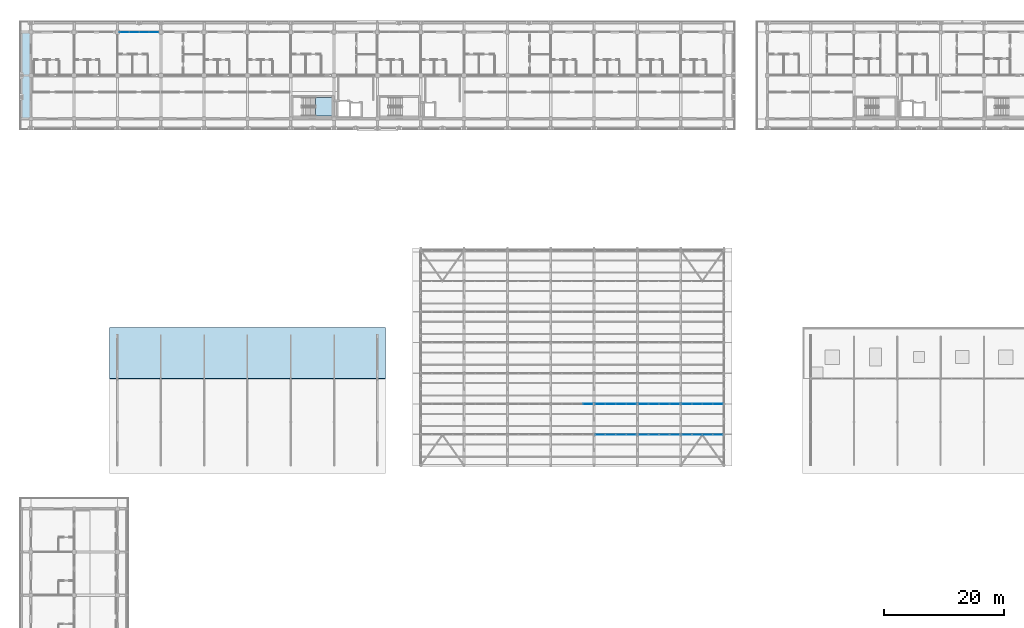
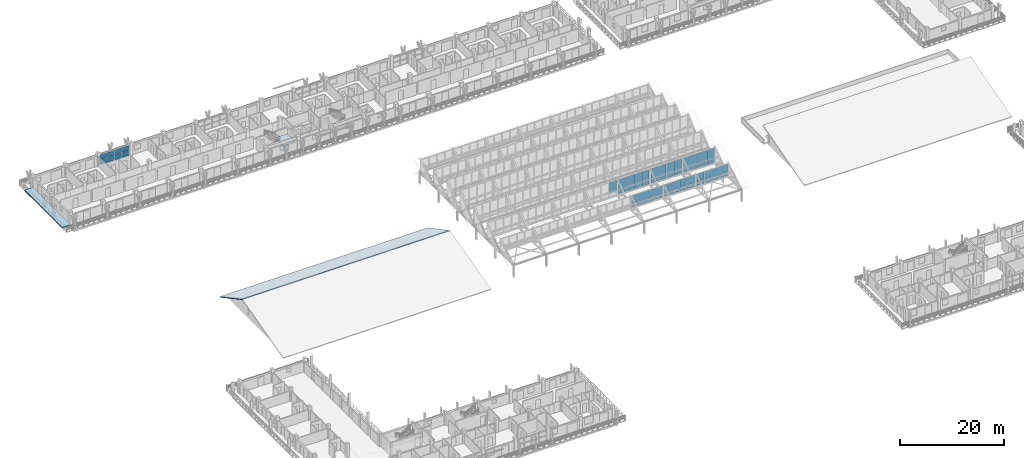
# One storey, part 99 of 157: 57 plates, 3 slabs, 9 elements without a shape of their own.
"""IFC4 building model written with IfcOpenShell, lengths in metres."""

from ifc_helpers import new_model, si_unit, direction, frame, origin, origin_2d, place, context, subcontext, project, spatial, polyline, rectangle, outline, extrude, material, layer, layer_set, type_object, element, aggregate, save


model = new_model("IFC4")

# Units and contexts
model_context = context("Model", 3, precision=1e-05, world=origin(), true_north=direction((0.0, 1.0)))
body_context = subcontext(model_context, "Body", "Model", "MODEL_VIEW")
ifc_project = project(units=[si_unit("LENGTHUNIT", "METRE"), si_unit("AREAUNIT", "SQUARE_METRE"), si_unit("VOLUMEUNIT", "CUBIC_METRE"), si_unit("PLANEANGLEUNIT", "RADIAN"), si_unit("MASSUNIT", "GRAM", prefix="KILO")], contexts=[model_context])

# Site, building, storey
site_placement = place(None, origin())
site = spatial("IfcSite", under=ifc_project, at=site_placement, CompositionType="ELEMENT")
building_placement = place(site_placement, origin())
building = spatial("IfcBuilding", under=site, at=building_placement, Name="Suanplinth Sawtooth Commons", CompositionType="ELEMENT")
storey_placement = place(building_placement, frame((0.0, 0.0, 9.0)))
storey = spatial("IfcBuildingStorey", under=building, at=storey_placement, Name="L02", CompositionType="ELEMENT", Elevation=9.0)

# Curtain wall, plates
ifc_material_1 = material(Name="Anodized aluminium and low-E glazing", Category="aluminium")
curtain_wall_type_1 = type_object("IfcCurtainWallType", Name="CW-06", PredefinedType="USERDEFINED", material=ifc_material_1)
curtain_wall_1_placement = place(storey_placement, origin())
curtain_wall_1 = element("IfcCurtainWall", 1, at=curtain_wall_1_placement, inside=storey, type_object=curtain_wall_type_1, Name="Curtain Wall CW-L02-A-LOUNGE-2", ObjectType="CURTAIN WALL", PredefinedType="USERDEFINED")
ifc_material_2 = material(Name="Tempered low-E double glazing", Category="glass")
ifc_layer_1 = layer(ifc_material_2, 0.028076171875, Name="Vision low-E insulated glazing unit 28mm")
ifc_layer_set_1 = layer_set([ifc_layer_1], Name="Tempered low-E double glazing")
plate_type_1 = type_object("IfcPlateType", Name="PL-05", PredefinedType="CURTAIN_PANEL", material=ifc_layer_set_1)
plate_1_placement = place(storey_placement, frame((15.56005859375, 122.39990234375, 0.06494140625), z_axis=(0.0, 0.0, 1.0), x_axis=(1.0, 0.0, 0.0)))
plate_1 = element("IfcPlate", 2, at=plate_1_placement, type_object=plate_type_1, Name="CW-06 panel 1.1", PredefinedType="CURTAIN_PANEL", context=body_context, shape_type="SweptSolid", body=[
    extrude(rectangle(XDim=1.5400390625, YDim=0.028076171875, at=origin_2d()), origin(), (0.0, 0.0, 1.0), 1.12255859375),
])
plate_2_placement = place(storey_placement, frame((15.56005859375, 122.39990234375, 1.25244140625), z_axis=(0.0, 0.0, 1.0), x_axis=(1.0, 0.0, 0.0)))
plate_2 = element("IfcPlate", 3, at=plate_2_placement, type_object=plate_type_1, Name="CW-06 panel 1.2", PredefinedType="CURTAIN_PANEL", context=body_context, shape_type="SweptSolid", body=[
    extrude(rectangle(XDim=1.5400390625, YDim=0.028076171875, at=origin_2d()), origin(), (0.0, 0.0, 1.0), 1.12255859375),
])
plate_3_placement = place(storey_placement, frame((17.18115234375, 122.39990234375, 0.06494140625), z_axis=(0.0, 0.0, 1.0), x_axis=(1.0, 0.0, 0.0)))
plate_3 = element("IfcPlate", 4, at=plate_3_placement, type_object=plate_type_1, Name="CW-06 panel 2.1", PredefinedType="CURTAIN_PANEL", context=body_context, shape_type="SweptSolid", body=[
    extrude(rectangle(XDim=1.572509765625, YDim=0.028076171875, at=origin_2d()), origin(), (0.0, 0.0, 1.0), 1.12255859375),
])
plate_4_placement = place(storey_placement, frame((17.18115234375, 122.39990234375, 1.25244140625), z_axis=(0.0, 0.0, 1.0), x_axis=(1.0, 0.0, 0.0)))
plate_4 = element("IfcPlate", 5, at=plate_4_placement, type_object=plate_type_1, Name="CW-06 panel 2.2", PredefinedType="CURTAIN_PANEL", context=body_context, shape_type="SweptSolid", body=[
    extrude(rectangle(XDim=1.572509765625, YDim=0.028076171875, at=origin_2d()), origin(), (0.0, 0.0, 1.0), 1.12255859375),
])
plate_5_placement = place(storey_placement, frame((18.81884765625, 122.39990234375, 0.06494140625), z_axis=(0.0, 0.0, 1.0), x_axis=(1.0, 0.0, 0.0)))
plate_5 = element("IfcPlate", 6, at=plate_5_placement, type_object=plate_type_1, Name="CW-06 panel 3.1", PredefinedType="CURTAIN_PANEL", context=body_context, shape_type="SweptSolid", body=[
    extrude(rectangle(XDim=1.572509765625, YDim=0.028076171875, at=origin_2d()), origin(), (0.0, 0.0, 1.0), 1.12255859375),
])
plate_6_placement = place(storey_placement, frame((18.81884765625, 122.39990234375, 1.25244140625), z_axis=(0.0, 0.0, 1.0), x_axis=(1.0, 0.0, 0.0)))
plate_6 = element("IfcPlate", 7, at=plate_6_placement, type_object=plate_type_1, Name="CW-06 panel 3.2", PredefinedType="CURTAIN_PANEL", context=body_context, shape_type="SweptSolid", body=[
    extrude(rectangle(XDim=1.572509765625, YDim=0.028076171875, at=origin_2d()), origin(), (0.0, 0.0, 1.0), 1.12255859375),
])
plate_7_placement = place(storey_placement, frame((20.43994140625, 122.39990234375, 0.06494140625), z_axis=(0.0, 0.0, 1.0), x_axis=(1.0, 0.0, 0.0)))
plate_7 = element("IfcPlate", 8, at=plate_7_placement, type_object=plate_type_1, Name="CW-06 panel 4.1", PredefinedType="CURTAIN_PANEL", context=body_context, shape_type="SweptSolid", body=[
    extrude(rectangle(XDim=1.5400390625, YDim=0.028076171875, at=origin_2d()), origin(), (0.0, 0.0, 1.0), 1.12255859375),
])
plate_8_placement = place(storey_placement, frame((20.43994140625, 122.39990234375, 1.25244140625), z_axis=(0.0, 0.0, 1.0), x_axis=(1.0, 0.0, 0.0)))
plate_8 = element("IfcPlate", 9, at=plate_8_placement, type_object=plate_type_1, Name="CW-06 panel 4.2", PredefinedType="CURTAIN_PANEL", context=body_context, shape_type="SweptSolid", body=[
    extrude(rectangle(XDim=1.5400390625, YDim=0.028076171875, at=origin_2d()), origin(), (0.0, 0.0, 1.0), 1.12255859375),
])
aggregate(curtain_wall_1, [plate_1, plate_2, plate_3, plate_4, plate_5, plate_6, plate_7, plate_8])

curtain_wall_type_2 = type_object("IfcCurtainWallType", Name="CW-03", PredefinedType="USERDEFINED", material=ifc_material_1)
curtain_wall_2_placement = place(storey_placement, origin())
curtain_wall_2 = element("IfcCurtainWall", 10, at=curtain_wall_2_placement, inside=storey, type_object=curtain_wall_type_2, Name="Curtain Wall CW-SAW-T1-B5", ObjectType="CURTAIN WALL", PredefinedType="USERDEFINED")
ifc_material_3 = material(Name="Diffused north-light laminated glazing", Category="glass")
ifc_layer_2 = layer(ifc_material_3, 0.02587890625, Name="Sawtooth north-light diffused glazing panel 26mm")
ifc_layer_set_2 = layer_set([ifc_layer_2], Name="Diffused north-light laminated glazing")
plate_type_2 = type_object("IfcPlateType", Name="PL-07", PredefinedType="CURTAIN_PANEL", material=ifc_layer_set_2)
plate_9_placement = place(storey_placement, frame((94.608642578125, 55.5, 3.054931640625), z_axis=(0.0, 0.0, 1.0), x_axis=(1.0, 0.0, 0.0)))
plate_9 = element("IfcPlate", 11, at=plate_9_placement, type_object=plate_type_2, Name="CW-03 panel 1.1", PredefinedType="CURTAIN_PANEL", context=body_context, shape_type="SweptSolid", body=[
    extrude(rectangle(XDim=1.62744140625, YDim=0.02587890625, at=origin_2d()), origin(), (0.0, 0.0, 1.0), 0.78759765625),
])
plate_10_placement = place(storey_placement, frame((94.608642578125, 55.5, 3.91748046875), z_axis=(0.0, 0.0, 1.0), x_axis=(1.0, 0.0, 0.0)))
plate_10 = element("IfcPlate", 12, at=plate_10_placement, type_object=plate_type_2, Name="CW-03 panel 1.2", PredefinedType="CURTAIN_PANEL", context=body_context, shape_type="SweptSolid", body=[
    extrude(rectangle(XDim=1.62744140625, YDim=0.02587890625, at=origin_2d()), origin(), (0.0, 0.0, 1.0), 1.847412109375),
])
plate_11_placement = place(storey_placement, frame((96.330078125, 55.5, 3.054931640625), z_axis=(0.0, 0.0, 1.0), x_axis=(1.0, 0.0, 0.0)))
plate_11 = element("IfcPlate", 13, at=plate_11_placement, type_object=plate_type_2, Name="CW-03 panel 2.1", PredefinedType="CURTAIN_PANEL", context=body_context, shape_type="SweptSolid", body=[
    extrude(rectangle(XDim=1.6650390625, YDim=0.02587890625, at=origin_2d()), origin(), (0.0, 0.0, 1.0), 0.78759765625),
])
plate_12_placement = place(storey_placement, frame((96.330078125, 55.5, 3.91748046875), z_axis=(0.0, 0.0, 1.0), x_axis=(1.0, 0.0, 0.0)))
plate_12 = element("IfcPlate", 14, at=plate_12_placement, type_object=plate_type_2, Name="CW-03 panel 2.2", PredefinedType="CURTAIN_PANEL", context=body_context, shape_type="SweptSolid", body=[
    extrude(rectangle(XDim=1.6650390625, YDim=0.02587890625, at=origin_2d()), origin(), (0.0, 0.0, 1.0), 1.847412109375),
])
plate_13_placement = place(storey_placement, frame((98.070068359375, 55.5, 3.054931640625), z_axis=(0.0, 0.0, 1.0), x_axis=(1.0, 0.0, 0.0)))
plate_13 = element("IfcPlate", 15, at=plate_13_placement, type_object=plate_type_2, Name="CW-03 panel 3.1", PredefinedType="CURTAIN_PANEL", context=body_context, shape_type="SweptSolid", body=[
    extrude(rectangle(XDim=1.6650390625, YDim=0.02587890625, at=origin_2d()), origin(), (0.0, 0.0, 1.0), 0.78759765625),
])
plate_14_placement = place(storey_placement, frame((98.070068359375, 55.5, 3.91748046875), z_axis=(0.0, 0.0, 1.0), x_axis=(1.0, 0.0, 0.0)))
plate_14 = element("IfcPlate", 16, at=plate_14_placement, type_object=plate_type_2, Name="CW-03 panel 3.2", PredefinedType="CURTAIN_PANEL", context=body_context, shape_type="SweptSolid", body=[
    extrude(rectangle(XDim=1.6650390625, YDim=0.02587890625, at=origin_2d()), origin(), (0.0, 0.0, 1.0), 1.847412109375),
])
plate_15_placement = place(storey_placement, frame((99.791259765625, 55.5, 3.054931640625), z_axis=(0.0, 0.0, 1.0), x_axis=(1.0, 0.0, 0.0)))
plate_15 = element("IfcPlate", 17, at=plate_15_placement, type_object=plate_type_2, Name="CW-03 panel 4.1", PredefinedType="CURTAIN_PANEL", context=body_context, shape_type="SweptSolid", body=[
    extrude(rectangle(XDim=1.62744140625, YDim=0.02587890625, at=origin_2d()), origin(), (0.0, 0.0, 1.0), 0.78759765625),
])
plate_16_placement = place(storey_placement, frame((99.791259765625, 55.5, 3.91748046875), z_axis=(0.0, 0.0, 1.0), x_axis=(1.0, 0.0, 0.0)))
plate_16 = element("IfcPlate", 18, at=plate_16_placement, type_object=plate_type_2, Name="CW-03 panel 4.2", PredefinedType="CURTAIN_PANEL", context=body_context, shape_type="SweptSolid", body=[
    extrude(rectangle(XDim=1.62744140625, YDim=0.02587890625, at=origin_2d()), origin(), (0.0, 0.0, 1.0), 1.847412109375),
])
aggregate(curtain_wall_2, [plate_9, plate_10, plate_11, plate_12, plate_13, plate_14, plate_15, plate_16])

curtain_wall_3_placement = place(storey_placement, origin())
curtain_wall_3 = element("IfcCurtainWall", 19, at=curtain_wall_3_placement, inside=storey, type_object=curtain_wall_type_2, Name="Curtain Wall CW-SAW-T1-B6", ObjectType="CURTAIN WALL", PredefinedType="USERDEFINED")
plate_17_placement = place(storey_placement, frame((101.808837890625, 55.5, 3.054931640625), z_axis=(0.0, 0.0, 1.0), x_axis=(1.0, 0.0, 0.0)))
plate_17 = element("IfcPlate", 20, at=plate_17_placement, type_object=plate_type_2, Name="CW-03 panel 1.1", PredefinedType="CURTAIN_PANEL", context=body_context, shape_type="SweptSolid", body=[
    extrude(rectangle(XDim=1.62744140625, YDim=0.02587890625, at=origin_2d()), origin(), (0.0, 0.0, 1.0), 0.78759765625),
])
plate_18_placement = place(storey_placement, frame((101.808837890625, 55.5, 3.91748046875), z_axis=(0.0, 0.0, 1.0), x_axis=(1.0, 0.0, 0.0)))
plate_18 = element("IfcPlate", 21, at=plate_18_placement, type_object=plate_type_2, Name="CW-03 panel 1.2", PredefinedType="CURTAIN_PANEL", context=body_context, shape_type="SweptSolid", body=[
    extrude(rectangle(XDim=1.62744140625, YDim=0.02587890625, at=origin_2d()), origin(), (0.0, 0.0, 1.0), 1.847412109375),
])
plate_19_placement = place(storey_placement, frame((103.530029296875, 55.5, 3.054931640625), z_axis=(0.0, 0.0, 1.0), x_axis=(1.0, 0.0, 0.0)))
plate_19 = element("IfcPlate", 22, at=plate_19_placement, type_object=plate_type_2, Name="CW-03 panel 2.1", PredefinedType="CURTAIN_PANEL", context=body_context, shape_type="SweptSolid", body=[
    extrude(rectangle(XDim=1.6650390625, YDim=0.02587890625, at=origin_2d()), origin(), (0.0, 0.0, 1.0), 0.78759765625),
])
plate_20_placement = place(storey_placement, frame((103.530029296875, 55.5, 3.91748046875), z_axis=(0.0, 0.0, 1.0), x_axis=(1.0, 0.0, 0.0)))
plate_20 = element("IfcPlate", 23, at=plate_20_placement, type_object=plate_type_2, Name="CW-03 panel 2.2", PredefinedType="CURTAIN_PANEL", context=body_context, shape_type="SweptSolid", body=[
    extrude(rectangle(XDim=1.6650390625, YDim=0.02587890625, at=origin_2d()), origin(), (0.0, 0.0, 1.0), 1.847412109375),
])
plate_21_placement = place(storey_placement, frame((105.27001953125, 55.5, 3.054931640625), z_axis=(0.0, 0.0, 1.0), x_axis=(1.0, 0.0, 0.0)))
plate_21 = element("IfcPlate", 24, at=plate_21_placement, type_object=plate_type_2, Name="CW-03 panel 3.1", PredefinedType="CURTAIN_PANEL", context=body_context, shape_type="SweptSolid", body=[
    extrude(rectangle(XDim=1.6650390625, YDim=0.02587890625, at=origin_2d()), origin(), (0.0, 0.0, 1.0), 0.78759765625),
])
plate_22_placement = place(storey_placement, frame((105.27001953125, 55.5, 3.91748046875), z_axis=(0.0, 0.0, 1.0), x_axis=(1.0, 0.0, 0.0)))
plate_22 = element("IfcPlate", 25, at=plate_22_placement, type_object=plate_type_2, Name="CW-03 panel 3.2", PredefinedType="CURTAIN_PANEL", context=body_context, shape_type="SweptSolid", body=[
    extrude(rectangle(XDim=1.6650390625, YDim=0.02587890625, at=origin_2d()), origin(), (0.0, 0.0, 1.0), 1.847412109375),
])
plate_23_placement = place(storey_placement, frame((106.9912109375, 55.5, 3.054931640625), z_axis=(0.0, 0.0, 1.0), x_axis=(1.0, 0.0, 0.0)))
plate_23 = element("IfcPlate", 26, at=plate_23_placement, type_object=plate_type_2, Name="CW-03 panel 4.1", PredefinedType="CURTAIN_PANEL", context=body_context, shape_type="SweptSolid", body=[
    extrude(rectangle(XDim=1.62744140625, YDim=0.02587890625, at=origin_2d()), origin(), (0.0, 0.0, 1.0), 0.78759765625),
])
plate_24_placement = place(storey_placement, frame((106.9912109375, 55.5, 3.91748046875), z_axis=(0.0, 0.0, 1.0), x_axis=(1.0, 0.0, 0.0)))
plate_24 = element("IfcPlate", 27, at=plate_24_placement, type_object=plate_type_2, Name="CW-03 panel 4.2", PredefinedType="CURTAIN_PANEL", context=body_context, shape_type="SweptSolid", body=[
    extrude(rectangle(XDim=1.62744140625, YDim=0.02587890625, at=origin_2d()), origin(), (0.0, 0.0, 1.0), 1.847412109375),
])
aggregate(curtain_wall_3, [plate_17, plate_18, plate_19, plate_20, plate_21, plate_22, plate_23, plate_24])

curtain_wall_4_placement = place(storey_placement, origin())
curtain_wall_4 = element("IfcCurtainWall", 28, at=curtain_wall_4_placement, inside=storey, type_object=curtain_wall_type_2, Name="Curtain Wall CW-SAW-T1-B7", ObjectType="CURTAIN WALL", PredefinedType="USERDEFINED")
plate_25_placement = place(storey_placement, frame((109.0087890625, 55.5, 3.054931640625), z_axis=(0.0, 0.0, 1.0), x_axis=(1.0, 0.0, 0.0)))
plate_25 = element("IfcPlate", 29, at=plate_25_placement, type_object=plate_type_2, Name="CW-03 panel 1.1", PredefinedType="CURTAIN_PANEL", context=body_context, shape_type="SweptSolid", body=[
    extrude(rectangle(XDim=1.62744140625, YDim=0.02587890625, at=origin_2d()), origin(), (0.0, 0.0, 1.0), 0.78759765625),
])
plate_26_placement = place(storey_placement, frame((109.0087890625, 55.5, 3.91748046875), z_axis=(0.0, 0.0, 1.0), x_axis=(1.0, 0.0, 0.0)))
plate_26 = element("IfcPlate", 30, at=plate_26_placement, type_object=plate_type_2, Name="CW-03 panel 1.2", PredefinedType="CURTAIN_PANEL", context=body_context, shape_type="SweptSolid", body=[
    extrude(rectangle(XDim=1.62744140625, YDim=0.02587890625, at=origin_2d()), origin(), (0.0, 0.0, 1.0), 1.847412109375),
])
plate_27_placement = place(storey_placement, frame((110.72998046875, 55.5, 3.054931640625), z_axis=(0.0, 0.0, 1.0), x_axis=(1.0, 0.0, 0.0)))
plate_27 = element("IfcPlate", 31, at=plate_27_placement, type_object=plate_type_2, Name="CW-03 panel 2.1", PredefinedType="CURTAIN_PANEL", context=body_context, shape_type="SweptSolid", body=[
    extrude(rectangle(XDim=1.6650390625, YDim=0.02587890625, at=origin_2d()), origin(), (0.0, 0.0, 1.0), 0.78759765625),
])
plate_28_placement = place(storey_placement, frame((110.72998046875, 55.5, 3.91748046875), z_axis=(0.0, 0.0, 1.0), x_axis=(1.0, 0.0, 0.0)))
plate_28 = element("IfcPlate", 32, at=plate_28_placement, type_object=plate_type_2, Name="CW-03 panel 2.2", PredefinedType="CURTAIN_PANEL", context=body_context, shape_type="SweptSolid", body=[
    extrude(rectangle(XDim=1.6650390625, YDim=0.02587890625, at=origin_2d()), origin(), (0.0, 0.0, 1.0), 1.847412109375),
])
plate_29_placement = place(storey_placement, frame((112.469970703125, 55.5, 3.054931640625), z_axis=(0.0, 0.0, 1.0), x_axis=(1.0, 0.0, 0.0)))
plate_29 = element("IfcPlate", 33, at=plate_29_placement, type_object=plate_type_2, Name="CW-03 panel 3.1", PredefinedType="CURTAIN_PANEL", context=body_context, shape_type="SweptSolid", body=[
    extrude(rectangle(XDim=1.6650390625, YDim=0.02587890625, at=origin_2d()), origin(), (0.0, 0.0, 1.0), 0.78759765625),
])
plate_30_placement = place(storey_placement, frame((112.469970703125, 55.5, 3.91748046875), z_axis=(0.0, 0.0, 1.0), x_axis=(1.0, 0.0, 0.0)))
plate_30 = element("IfcPlate", 34, at=plate_30_placement, type_object=plate_type_2, Name="CW-03 panel 3.2", PredefinedType="CURTAIN_PANEL", context=body_context, shape_type="SweptSolid", body=[
    extrude(rectangle(XDim=1.6650390625, YDim=0.02587890625, at=origin_2d()), origin(), (0.0, 0.0, 1.0), 1.847412109375),
])
plate_31_placement = place(storey_placement, frame((114.191162109375, 55.5, 3.054931640625), z_axis=(0.0, 0.0, 1.0), x_axis=(1.0, 0.0, 0.0)))
plate_31 = element("IfcPlate", 35, at=plate_31_placement, type_object=plate_type_2, Name="CW-03 panel 4.1", PredefinedType="CURTAIN_PANEL", context=body_context, shape_type="SweptSolid", body=[
    extrude(rectangle(XDim=1.62744140625, YDim=0.02587890625, at=origin_2d()), origin(), (0.0, 0.0, 1.0), 0.78759765625),
])
plate_32_placement = place(storey_placement, frame((114.191162109375, 55.5, 3.91748046875), z_axis=(0.0, 0.0, 1.0), x_axis=(1.0, 0.0, 0.0)))
plate_32 = element("IfcPlate", 36, at=plate_32_placement, type_object=plate_type_2, Name="CW-03 panel 4.2", PredefinedType="CURTAIN_PANEL", context=body_context, shape_type="SweptSolid", body=[
    extrude(rectangle(XDim=1.62744140625, YDim=0.02587890625, at=origin_2d()), origin(), (0.0, 0.0, 1.0), 1.847412109375),
])
aggregate(curtain_wall_4, [plate_25, plate_26, plate_27, plate_28, plate_29, plate_30, plate_31, plate_32])

# Curtain wall, plate
curtain_wall_5_placement = place(storey_placement, origin())
curtain_wall_5 = element("IfcCurtainWall", 37, at=curtain_wall_5_placement, inside=storey, type_object=curtain_wall_type_2, Name="Curtain Wall CW-SAW-T2-B4", ObjectType="CURTAIN WALL", PredefinedType="USERDEFINED")
ifc_material_4 = material(Name="Diffused solar-control north-light glazing", Category="glass")
ifc_layer_3 = layer(ifc_material_4, 0.033935546875, Name="Sawtooth upper diffused glazing panel 34mm")
ifc_layer_set_3 = layer_set([ifc_layer_3], Name="Diffused solar-control north-light glazing")
plate_type_3 = type_object("IfcPlateType", Name="PL-09", PredefinedType="CURTAIN_PANEL", material=ifc_layer_set_3)
plate_33_placement = place(storey_placement, frame((92.59130859375, 60.60009765625, 3.91748046875), z_axis=(0.0, 0.0, 1.0), x_axis=(1.0, 0.0, 0.0)))
plate_33 = element("IfcPlate", 38, at=plate_33_placement, type_object=plate_type_3, Name="CW-03 panel 4.2", PredefinedType="CURTAIN_PANEL", context=body_context, shape_type="SweptSolid", body=[
    extrude(rectangle(XDim=1.62744140625, YDim=0.033935546875, at=origin_2d()), origin(), (0.0, 0.0, 1.0), 2.547607421875),
])
aggregate(curtain_wall_5, [plate_33])

# Curtain wall, plates
curtain_wall_6_placement = place(storey_placement, origin())
curtain_wall_6 = element("IfcCurtainWall", 39, at=curtain_wall_6_placement, inside=storey, type_object=curtain_wall_type_2, Name="Curtain Wall CW-SAW-T2-B5", ObjectType="CURTAIN WALL", PredefinedType="USERDEFINED")
plate_34_placement = place(storey_placement, frame((94.608642578125, 60.60009765625, 3.054931640625), z_axis=(0.0, 0.0, 1.0), x_axis=(1.0, 0.0, 0.0)))
plate_34 = element("IfcPlate", 40, at=plate_34_placement, type_object=plate_type_3, Name="CW-03 panel 1.1", PredefinedType="CURTAIN_PANEL", context=body_context, shape_type="SweptSolid", body=[
    extrude(rectangle(XDim=1.62744140625, YDim=0.033935546875, at=origin_2d()), origin(), (0.0, 0.0, 1.0), 0.78759765625),
])
plate_35_placement = place(storey_placement, frame((94.608642578125, 60.60009765625, 3.91748046875), z_axis=(0.0, 0.0, 1.0), x_axis=(1.0, 0.0, 0.0)))
plate_35 = element("IfcPlate", 41, at=plate_35_placement, type_object=plate_type_3, Name="CW-03 panel 1.2", PredefinedType="CURTAIN_PANEL", context=body_context, shape_type="SweptSolid", body=[
    extrude(rectangle(XDim=1.62744140625, YDim=0.033935546875, at=origin_2d()), origin(), (0.0, 0.0, 1.0), 2.547607421875),
])
plate_36_placement = place(storey_placement, frame((96.330078125, 60.60009765625, 3.054931640625), z_axis=(0.0, 0.0, 1.0), x_axis=(1.0, 0.0, 0.0)))
plate_36 = element("IfcPlate", 42, at=plate_36_placement, type_object=plate_type_3, Name="CW-03 panel 2.1", PredefinedType="CURTAIN_PANEL", context=body_context, shape_type="SweptSolid", body=[
    extrude(rectangle(XDim=1.6650390625, YDim=0.033935546875, at=origin_2d()), origin(), (0.0, 0.0, 1.0), 0.78759765625),
])
plate_37_placement = place(storey_placement, frame((96.330078125, 60.60009765625, 3.91748046875), z_axis=(0.0, 0.0, 1.0), x_axis=(1.0, 0.0, 0.0)))
plate_37 = element("IfcPlate", 43, at=plate_37_placement, type_object=plate_type_3, Name="CW-03 panel 2.2", PredefinedType="CURTAIN_PANEL", context=body_context, shape_type="SweptSolid", body=[
    extrude(rectangle(XDim=1.6650390625, YDim=0.033935546875, at=origin_2d()), origin(), (0.0, 0.0, 1.0), 2.547607421875),
])
plate_38_placement = place(storey_placement, frame((98.070068359375, 60.60009765625, 3.054931640625), z_axis=(0.0, 0.0, 1.0), x_axis=(1.0, 0.0, 0.0)))
plate_38 = element("IfcPlate", 44, at=plate_38_placement, type_object=plate_type_3, Name="CW-03 panel 3.1", PredefinedType="CURTAIN_PANEL", context=body_context, shape_type="SweptSolid", body=[
    extrude(rectangle(XDim=1.6650390625, YDim=0.033935546875, at=origin_2d()), origin(), (0.0, 0.0, 1.0), 0.78759765625),
])
plate_39_placement = place(storey_placement, frame((98.070068359375, 60.60009765625, 3.91748046875), z_axis=(0.0, 0.0, 1.0), x_axis=(1.0, 0.0, 0.0)))
plate_39 = element("IfcPlate", 45, at=plate_39_placement, type_object=plate_type_3, Name="CW-03 panel 3.2", PredefinedType="CURTAIN_PANEL", context=body_context, shape_type="SweptSolid", body=[
    extrude(rectangle(XDim=1.6650390625, YDim=0.033935546875, at=origin_2d()), origin(), (0.0, 0.0, 1.0), 2.547607421875),
])
plate_40_placement = place(storey_placement, frame((99.791259765625, 60.60009765625, 3.054931640625), z_axis=(0.0, 0.0, 1.0), x_axis=(1.0, 0.0, 0.0)))
plate_40 = element("IfcPlate", 46, at=plate_40_placement, type_object=plate_type_3, Name="CW-03 panel 4.1", PredefinedType="CURTAIN_PANEL", context=body_context, shape_type="SweptSolid", body=[
    extrude(rectangle(XDim=1.62744140625, YDim=0.033935546875, at=origin_2d()), origin(), (0.0, 0.0, 1.0), 0.78759765625),
])
plate_41_placement = place(storey_placement, frame((99.791259765625, 60.60009765625, 3.91748046875), z_axis=(0.0, 0.0, 1.0), x_axis=(1.0, 0.0, 0.0)))
plate_41 = element("IfcPlate", 47, at=plate_41_placement, type_object=plate_type_3, Name="CW-03 panel 4.2", PredefinedType="CURTAIN_PANEL", context=body_context, shape_type="SweptSolid", body=[
    extrude(rectangle(XDim=1.62744140625, YDim=0.033935546875, at=origin_2d()), origin(), (0.0, 0.0, 1.0), 2.547607421875),
])
aggregate(curtain_wall_6, [plate_34, plate_35, plate_36, plate_37, plate_38, plate_39, plate_40, plate_41])

curtain_wall_7_placement = place(storey_placement, origin())
curtain_wall_7 = element("IfcCurtainWall", 48, at=curtain_wall_7_placement, inside=storey, type_object=curtain_wall_type_2, Name="Curtain Wall CW-SAW-T2-B6", ObjectType="CURTAIN WALL", PredefinedType="USERDEFINED")
plate_42_placement = place(storey_placement, frame((101.808837890625, 60.60009765625, 3.054931640625), z_axis=(0.0, 0.0, 1.0), x_axis=(1.0, 0.0, 0.0)))
plate_42 = element("IfcPlate", 49, at=plate_42_placement, type_object=plate_type_3, Name="CW-03 panel 1.1", PredefinedType="CURTAIN_PANEL", context=body_context, shape_type="SweptSolid", body=[
    extrude(rectangle(XDim=1.62744140625, YDim=0.033935546875, at=origin_2d()), origin(), (0.0, 0.0, 1.0), 0.78759765625),
])
plate_43_placement = place(storey_placement, frame((101.808837890625, 60.60009765625, 3.91748046875), z_axis=(0.0, 0.0, 1.0), x_axis=(1.0, 0.0, 0.0)))
plate_43 = element("IfcPlate", 50, at=plate_43_placement, type_object=plate_type_3, Name="CW-03 panel 1.2", PredefinedType="CURTAIN_PANEL", context=body_context, shape_type="SweptSolid", body=[
    extrude(rectangle(XDim=1.62744140625, YDim=0.033935546875, at=origin_2d()), origin(), (0.0, 0.0, 1.0), 2.547607421875),
])
plate_44_placement = place(storey_placement, frame((103.530029296875, 60.60009765625, 3.054931640625), z_axis=(0.0, 0.0, 1.0), x_axis=(1.0, 0.0, 0.0)))
plate_44 = element("IfcPlate", 51, at=plate_44_placement, type_object=plate_type_3, Name="CW-03 panel 2.1", PredefinedType="CURTAIN_PANEL", context=body_context, shape_type="SweptSolid", body=[
    extrude(rectangle(XDim=1.6650390625, YDim=0.033935546875, at=origin_2d()), origin(), (0.0, 0.0, 1.0), 0.78759765625),
])
plate_45_placement = place(storey_placement, frame((103.530029296875, 60.60009765625, 3.91748046875), z_axis=(0.0, 0.0, 1.0), x_axis=(1.0, 0.0, 0.0)))
plate_45 = element("IfcPlate", 52, at=plate_45_placement, type_object=plate_type_3, Name="CW-03 panel 2.2", PredefinedType="CURTAIN_PANEL", context=body_context, shape_type="SweptSolid", body=[
    extrude(rectangle(XDim=1.6650390625, YDim=0.033935546875, at=origin_2d()), origin(), (0.0, 0.0, 1.0), 2.547607421875),
])
plate_46_placement = place(storey_placement, frame((105.27001953125, 60.60009765625, 3.054931640625), z_axis=(0.0, 0.0, 1.0), x_axis=(1.0, 0.0, 0.0)))
plate_46 = element("IfcPlate", 53, at=plate_46_placement, type_object=plate_type_3, Name="CW-03 panel 3.1", PredefinedType="CURTAIN_PANEL", context=body_context, shape_type="SweptSolid", body=[
    extrude(rectangle(XDim=1.6650390625, YDim=0.033935546875, at=origin_2d()), origin(), (0.0, 0.0, 1.0), 0.78759765625),
])
plate_47_placement = place(storey_placement, frame((105.27001953125, 60.60009765625, 3.91748046875), z_axis=(0.0, 0.0, 1.0), x_axis=(1.0, 0.0, 0.0)))
plate_47 = element("IfcPlate", 54, at=plate_47_placement, type_object=plate_type_3, Name="CW-03 panel 3.2", PredefinedType="CURTAIN_PANEL", context=body_context, shape_type="SweptSolid", body=[
    extrude(rectangle(XDim=1.6650390625, YDim=0.033935546875, at=origin_2d()), origin(), (0.0, 0.0, 1.0), 2.547607421875),
])
plate_48_placement = place(storey_placement, frame((106.9912109375, 60.60009765625, 3.054931640625), z_axis=(0.0, 0.0, 1.0), x_axis=(1.0, 0.0, 0.0)))
plate_48 = element("IfcPlate", 55, at=plate_48_placement, type_object=plate_type_3, Name="CW-03 panel 4.1", PredefinedType="CURTAIN_PANEL", context=body_context, shape_type="SweptSolid", body=[
    extrude(rectangle(XDim=1.62744140625, YDim=0.033935546875, at=origin_2d()), origin(), (0.0, 0.0, 1.0), 0.78759765625),
])
plate_49_placement = place(storey_placement, frame((106.9912109375, 60.60009765625, 3.91748046875), z_axis=(0.0, 0.0, 1.0), x_axis=(1.0, 0.0, 0.0)))
plate_49 = element("IfcPlate", 56, at=plate_49_placement, type_object=plate_type_3, Name="CW-03 panel 4.2", PredefinedType="CURTAIN_PANEL", context=body_context, shape_type="SweptSolid", body=[
    extrude(rectangle(XDim=1.62744140625, YDim=0.033935546875, at=origin_2d()), origin(), (0.0, 0.0, 1.0), 2.547607421875),
])
aggregate(curtain_wall_7, [plate_42, plate_43, plate_44, plate_45, plate_46, plate_47, plate_48, plate_49])

curtain_wall_8_placement = place(storey_placement, origin())
curtain_wall_8 = element("IfcCurtainWall", 57, at=curtain_wall_8_placement, inside=storey, type_object=curtain_wall_type_2, Name="Curtain Wall CW-SAW-T2-B7", ObjectType="CURTAIN WALL", PredefinedType="USERDEFINED")
plate_50_placement = place(storey_placement, frame((109.0087890625, 60.60009765625, 3.054931640625), z_axis=(0.0, 0.0, 1.0), x_axis=(1.0, 0.0, 0.0)))
plate_50 = element("IfcPlate", 58, at=plate_50_placement, type_object=plate_type_3, Name="CW-03 panel 1.1", PredefinedType="CURTAIN_PANEL", context=body_context, shape_type="SweptSolid", body=[
    extrude(rectangle(XDim=1.62744140625, YDim=0.033935546875, at=origin_2d()), origin(), (0.0, 0.0, 1.0), 0.78759765625),
])
plate_51_placement = place(storey_placement, frame((109.0087890625, 60.60009765625, 3.91748046875), z_axis=(0.0, 0.0, 1.0), x_axis=(1.0, 0.0, 0.0)))
plate_51 = element("IfcPlate", 59, at=plate_51_placement, type_object=plate_type_3, Name="CW-03 panel 1.2", PredefinedType="CURTAIN_PANEL", context=body_context, shape_type="SweptSolid", body=[
    extrude(rectangle(XDim=1.62744140625, YDim=0.033935546875, at=origin_2d()), origin(), (0.0, 0.0, 1.0), 2.547607421875),
])
plate_52_placement = place(storey_placement, frame((110.72998046875, 60.60009765625, 3.054931640625), z_axis=(0.0, 0.0, 1.0), x_axis=(1.0, 0.0, 0.0)))
plate_52 = element("IfcPlate", 60, at=plate_52_placement, type_object=plate_type_3, Name="CW-03 panel 2.1", PredefinedType="CURTAIN_PANEL", context=body_context, shape_type="SweptSolid", body=[
    extrude(rectangle(XDim=1.6650390625, YDim=0.033935546875, at=origin_2d()), origin(), (0.0, 0.0, 1.0), 0.78759765625),
])
plate_53_placement = place(storey_placement, frame((110.72998046875, 60.60009765625, 3.91748046875), z_axis=(0.0, 0.0, 1.0), x_axis=(1.0, 0.0, 0.0)))
plate_53 = element("IfcPlate", 61, at=plate_53_placement, type_object=plate_type_3, Name="CW-03 panel 2.2", PredefinedType="CURTAIN_PANEL", context=body_context, shape_type="SweptSolid", body=[
    extrude(rectangle(XDim=1.6650390625, YDim=0.033935546875, at=origin_2d()), origin(), (0.0, 0.0, 1.0), 2.547607421875),
])
plate_54_placement = place(storey_placement, frame((112.469970703125, 60.60009765625, 3.054931640625), z_axis=(0.0, 0.0, 1.0), x_axis=(1.0, 0.0, 0.0)))
plate_54 = element("IfcPlate", 62, at=plate_54_placement, type_object=plate_type_3, Name="CW-03 panel 3.1", PredefinedType="CURTAIN_PANEL", context=body_context, shape_type="SweptSolid", body=[
    extrude(rectangle(XDim=1.6650390625, YDim=0.033935546875, at=origin_2d()), origin(), (0.0, 0.0, 1.0), 0.78759765625),
])
plate_55_placement = place(storey_placement, frame((112.469970703125, 60.60009765625, 3.91748046875), z_axis=(0.0, 0.0, 1.0), x_axis=(1.0, 0.0, 0.0)))
plate_55 = element("IfcPlate", 63, at=plate_55_placement, type_object=plate_type_3, Name="CW-03 panel 3.2", PredefinedType="CURTAIN_PANEL", context=body_context, shape_type="SweptSolid", body=[
    extrude(rectangle(XDim=1.6650390625, YDim=0.033935546875, at=origin_2d()), origin(), (0.0, 0.0, 1.0), 2.547607421875),
])
plate_56_placement = place(storey_placement, frame((114.191162109375, 60.60009765625, 3.054931640625), z_axis=(0.0, 0.0, 1.0), x_axis=(1.0, 0.0, 0.0)))
plate_56 = element("IfcPlate", 64, at=plate_56_placement, type_object=plate_type_3, Name="CW-03 panel 4.1", PredefinedType="CURTAIN_PANEL", context=body_context, shape_type="SweptSolid", body=[
    extrude(rectangle(XDim=1.62744140625, YDim=0.033935546875, at=origin_2d()), origin(), (0.0, 0.0, 1.0), 0.78759765625),
])
plate_57_placement = place(storey_placement, frame((114.191162109375, 60.60009765625, 3.91748046875), z_axis=(0.0, 0.0, 1.0), x_axis=(1.0, 0.0, 0.0)))
plate_57 = element("IfcPlate", 65, at=plate_57_placement, type_object=plate_type_3, Name="CW-03 panel 4.2", PredefinedType="CURTAIN_PANEL", context=body_context, shape_type="SweptSolid", body=[
    extrude(rectangle(XDim=1.62744140625, YDim=0.033935546875, at=origin_2d()), origin(), (0.0, 0.0, 1.0), 2.547607421875),
])
aggregate(curtain_wall_8, [plate_50, plate_51, plate_52, plate_53, plate_54, plate_55, plate_56, plate_57])

# Slab
ifc_material_5 = material(Name="Precast concrete C40/50", Category="concrete")
ifc_layer_4 = layer(ifc_material_5, 0.179931640625, Name="Wrap-around cantilevered precast balcony slab 180mm")
ifc_layer_set_4 = layer_set([ifc_layer_4], Name="Precast concrete C40/50")
slab_type_1 = type_object("IfcSlabType", Name="S-BL01", PredefinedType="FLOOR", material=ifc_layer_set_4)
slab_1_placement = place(storey_placement, frame((0.0, 0.0, -0.179931640625)))
element("IfcSlab", 66, at=slab_1_placement, inside=storey, type_object=slab_type_1, Name="L02 Block A Wrap-Around Balcony W", PredefinedType="FLOOR", context=body_context, shape_type="SweptSolid", body=[
    extrude(outline(polyline([(0.0, 108.0), (-1.800048828125, 108.0), (-1.800048828125, 122.39990234375), (0.0, 122.39990234375), (0.0, 108.0)])), origin(), (0.0, 0.0, 1.0), 0.179931640625),
])

# Stair, slab
ifc_material_6 = material(Name="Concrete C40/50", Category="concrete")
stair_type = type_object("IfcStairType", Name="ST-03", PredefinedType="USERDEFINED", material=ifc_material_6)
stair_placement = place(storey_placement, origin())
stair = element("IfcStair", 67, at=stair_placement, inside=storey, type_object=stair_type, Name="L02 Exit Stair ST-N1", ObjectType="TWO_RETURN_STAIR", PredefinedType="USERDEFINED")
ifc_layer_5 = layer(ifc_material_6, 0.199951171875, Name="Reinforced concrete stair and ramp landing slab 200mm")
ifc_layer_set_5 = layer_set([ifc_layer_5], Name="Concrete C40/50")
slab_type_2 = type_object("IfcSlabType", Name="S-LD01", PredefinedType="LANDING", material=ifc_layer_set_5)
slab_2_placement = place(storey_placement, frame((0.0, 0.0, 1.39990234375)))
slab_2 = element("IfcSlab", 68, at=slab_2_placement, type_object=slab_type_2, Name="ST-03 landing 1", PredefinedType="LANDING", context=body_context, shape_type="SweptSolid", body=[
    extrude(outline(polyline([(47.330078125, 108.449951171875), (50.050048828125, 108.449951171875), (50.050048828125, 111.550048828125), (47.330078125, 111.550048828125), (47.330078125, 108.449951171875)])), origin(), (0.0, 0.0, 1.0), 0.2001953125),
])
aggregate(stair, [slab_2])

# Slab
ifc_material_7 = material(Name="Concrete C35/45", Category="concrete")
ifc_layer_6 = layer(ifc_material_7, 0.159912109375, Name="Market gable & breezeway canopy roof slab 160mm")
ifc_layer_set_6 = layer_set([ifc_layer_6], Name="Concrete C35/45")
slab_type_3 = type_object("IfcSlabType", Name="S-RF03", PredefinedType="ROOF", material=ifc_layer_set_6)
slab_3_placement = place(storey_placement, frame((13.050048828125, 73.35009765625, -0.39990234375), z_axis=(0.0, 0.47315686006, 0.880978198242), x_axis=(1.0, 0.0, 0.0)))
element("IfcSlab", 69, at=slab_3_placement, inside=storey, type_object=slab_type_3, Name="West Market Hall North Asymmetric Overhang Roof Slope", PredefinedType="ROOF", context=body_context, shape_type="SweptSolid", body=[
    extrude(outline(polyline([(0.0, 0.0), (45.89990234375, 0.0), (45.89990234375, -9.63700378887082), (0.0, -9.63700378887082), (0.0, 0.0)])), origin(), (0.0, 0.0, -1.0), 0.159912109375),
])

save(model, "model.ifc")
